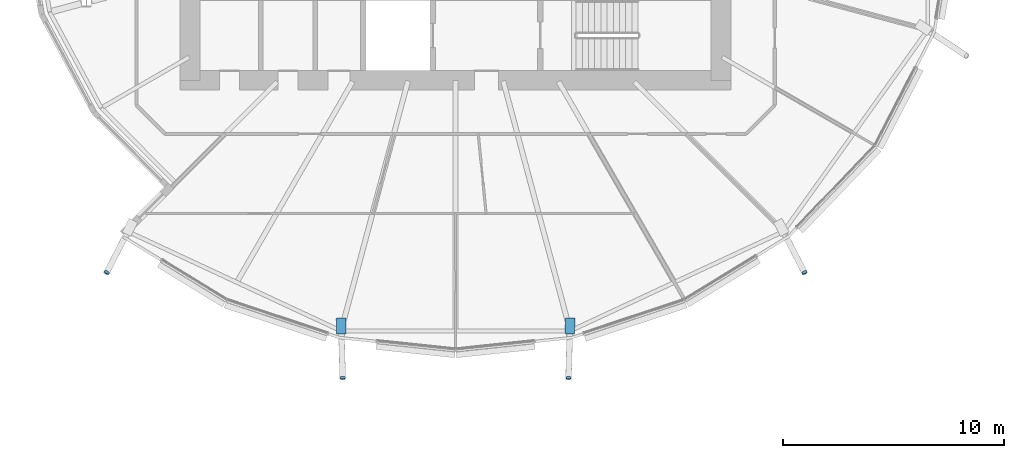
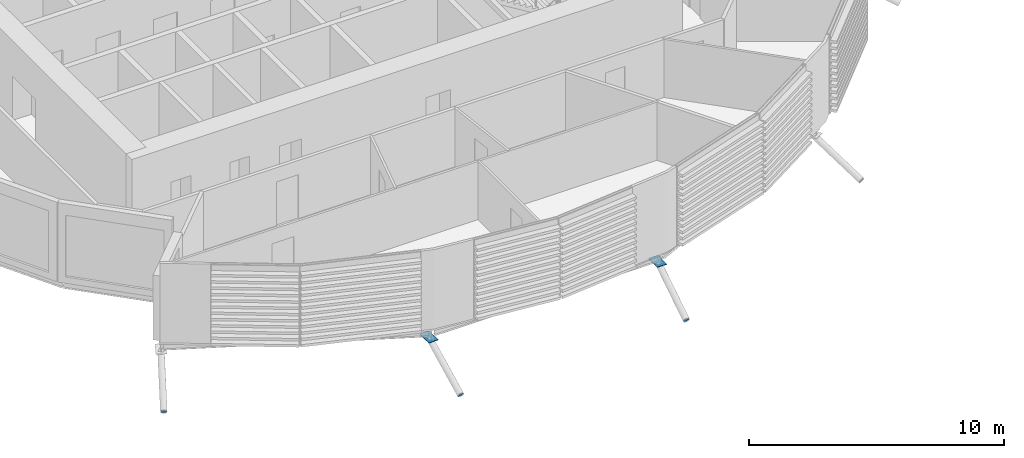
# One storey, part 27 of 37: 6 discrete accessories.
"""IFC4 building model written with IfcOpenShell, lengths in metres."""

from ifc_helpers import new_model, si_unit, direction, frame, origin, origin_2d, place, context, subcontext, project, spatial, polyline, rectangle, circle, outline, extrude, material, material_profile, profile_set, type_object, element, save


model = new_model("IFC4")

# Units and contexts
model_context = context("Model", 3, precision=1e-05, world=origin(), true_north=direction((0.0, 1.0)))
body_context = subcontext(model_context, "Body", "Model", "MODEL_VIEW")
ifc_project = project(units=[si_unit("LENGTHUNIT", "METRE"), si_unit("AREAUNIT", "SQUARE_METRE"), si_unit("VOLUMEUNIT", "CUBIC_METRE"), si_unit("PLANEANGLEUNIT", "RADIAN"), si_unit("MASSUNIT", "GRAM", prefix="KILO")], contexts=[model_context])

# Site, building, storey
site_placement = place(None, origin())
site = spatial("IfcSite", under=ifc_project, at=site_placement, CompositionType="ELEMENT")
building_placement = place(site_placement, origin())
building = spatial("IfcBuilding", under=site, at=building_placement, Name="Rimbun Link Towers", CompositionType="ELEMENT")
storey_placement = place(building_placement, frame((0.0, 0.0, 45.199951171875)))
storey = spatial("IfcBuildingStorey", under=building, at=storey_placement, Name="L10", CompositionType="ELEMENT", Elevation=45.199951171875)

# Discrete accessories
ifc_material_1 = material(Name="Steel S355J2H", Category="steel")
ifc_material_profile_1 = material_profile(ifc_material_1, circle(Radius=0.1240234375, at=origin_2d()), Name="PL D248")
ifc_profile_set_1 = profile_set([ifc_material_profile_1], Name="Steel S355J2H")
discrete_accessory_type_1 = type_object("IfcDiscreteAccessoryType", Name="Link foot sealing plate D248X20", PredefinedType="BRACKET", material=ifc_profile_set_1)
for number, where, z_axis, x_axis, name in (
    (1, (-47.514892578125, -16.678466796875, -2.061767578125), (-0.389289794786, -0.766414283485, -0.510942855656), (0.891578868093, -0.452865456809, 0.0), "Link foot sealing plate T1 L10 15"),
    (2, (-36.8544921875, -21.443359375, -2.109375), (0.024534798922, -0.870985361746, -0.490695978449), (0.999603489279, 0.028157844768, 0.0), "Link foot sealing plate T1 L10 17"),
    (3, (-26.6455078125, -21.443359375, -2.109375), (-0.024534798922, -0.870985361746, -0.490695978449), (0.999603489279, -0.028157844768, 0.0), "Link foot sealing plate T1 L10 19"),
    (4, (-15.985107421875, -16.678466796875, -2.061767578125), (0.389289794786, -0.766414283485, -0.510942855656), (0.891578868093, 0.452865456809, 0.0), "Link foot sealing plate T1 L10 21"),
):
    element("IfcDiscreteAccessory", number, at=place(storey_placement, frame(where, z_axis=z_axis, x_axis=x_axis)), inside=storey, type_object=discrete_accessory_type_1, Name=name, PredefinedType="BRACKET", context=body_context, shape_type="SweptSolid", body=[
        extrude(circle(Radius=0.1240234375, at=origin_2d()), origin(), (0.0, 0.0, 1.0), 0.02001953125),
    ])
ifc_material_2 = material(Name="Steel S355J2H", Category="steel")
ifc_material_profile_2 = material_profile(ifc_material_2, rectangle(XDim=0.43310546875, YDim=0.43310546875, at=origin_2d()), Name="PL 433x433")
ifc_profile_set_2 = profile_set([ifc_material_profile_2], Name="Steel S355J2H")
discrete_accessory_type_2 = type_object("IfcDiscreteAccessoryType", Name="Link head end plate 433X20", PredefinedType="BRACKET", material=ifc_profile_set_2)
discrete_accessory_1_placement = place(storey_placement, frame((0.0, 0.0, -0.782470703125)))
element("IfcDiscreteAccessory", 5, at=discrete_accessory_1_placement, inside=storey, type_object=discrete_accessory_type_2, Name="Link head end plate T1 L10 17", PredefinedType="BRACKET", context=body_context, shape_type="SweptSolid", body=[
    extrude(outline(polyline([(-37.14794921875, -18.75830078125), (-37.127685546875, -19.470703125), (-36.69482421875, -19.45849609375), (-36.715087890625, -18.745849609375), (-37.14794921875, -18.75830078125)])), origin(), (0.0, 0.0, 1.0), 0.02001953125),
])
discrete_accessory_2_placement = place(storey_placement, frame((0.0, 0.0, -0.782470703125)))
element("IfcDiscreteAccessory", 6, at=discrete_accessory_2_placement, inside=storey, type_object=discrete_accessory_type_2, Name="Link head end plate T1 L10 19", PredefinedType="BRACKET", context=body_context, shape_type="SweptSolid", body=[
    extrude(outline(polyline([(-26.784912109375, -18.745849609375), (-26.80517578125, -19.45849609375), (-26.372314453125, -19.470703125), (-26.35205078125, -18.75830078125), (-26.784912109375, -18.745849609375)])), origin(), (0.0, 0.0, 1.0), 0.02001953125),
])

save(model, "model.ifc")
